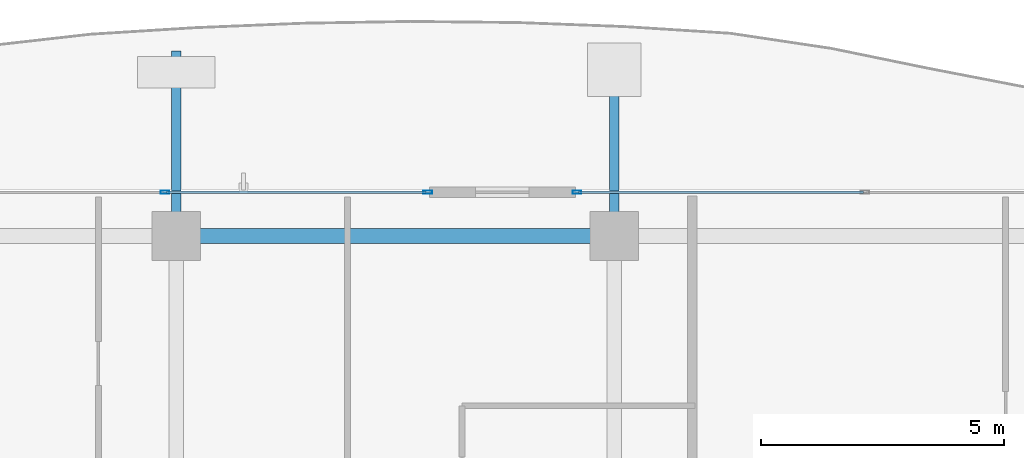
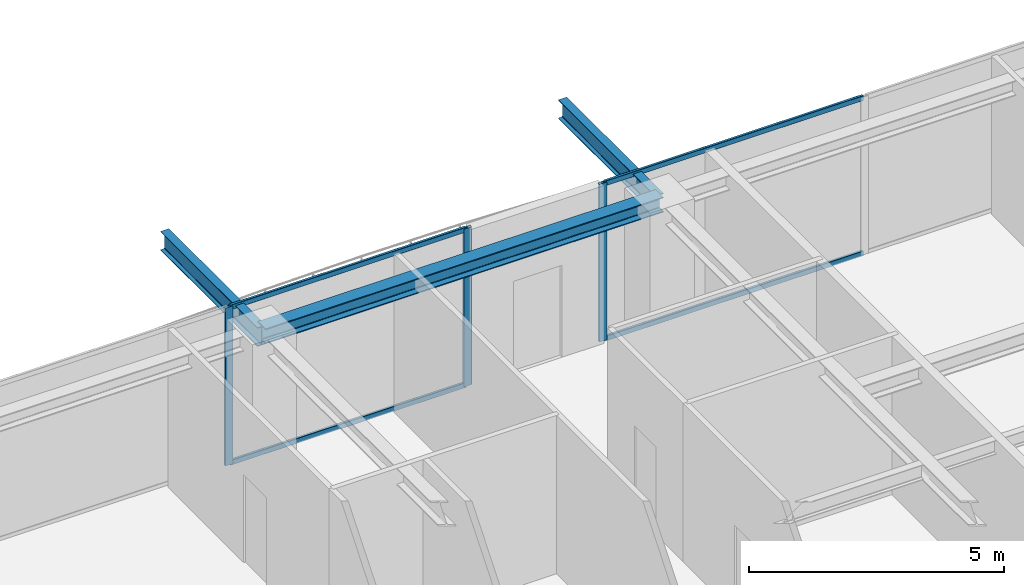
# One storey, part 23 of 40: 7 members, 3 beams, 2 elements without a shape of their own.
"""IFC4 building model written with IfcOpenShell, lengths in metres."""

from ifc_helpers import new_model, si_unit, direction, frame, origin, origin_2d, place, context, subcontext, project, spatial, hollow_rectangle, i_section, extrude, source, transform, mapped, material, layer, layer_set, material_profile, profile_set, type_object, element, aggregate, save


model = new_model("IFC4")

# Units and contexts
model_context = context("Model", 3, precision=1e-05, world=origin(), true_north=direction((0.0, 1.0)))
body_context = subcontext(model_context, "Body", "Model", "MODEL_VIEW")
ifc_project = project(units=[si_unit("LENGTHUNIT", "METRE"), si_unit("AREAUNIT", "SQUARE_METRE"), si_unit("VOLUMEUNIT", "CUBIC_METRE"), si_unit("PLANEANGLEUNIT", "RADIAN"), si_unit("MASSUNIT", "GRAM", prefix="KILO")], contexts=[model_context])

# Site, building, storey
site_placement = place(None, origin())
site = spatial("IfcSite", under=ifc_project, at=site_placement, CompositionType="ELEMENT")
building_placement = place(site_placement, origin())
building = spatial("IfcBuilding", under=site, at=building_placement, Name="Serunith Strait Residences", CompositionType="ELEMENT")
storey_placement = place(building_placement, frame((0.0, 0.0, 313.699951171875)))
storey = spatial("IfcBuildingStorey", under=building, at=storey_placement, Name="L78", CompositionType="ELEMENT", Elevation=313.699951171875)

# Beams
ifc_material_1 = material(Name="Steel S355J2", Category="steel")
ifc_material_profile_1 = material_profile(ifc_material_1, i_section(OverallWidth=0.300048828125, OverallDepth=0.360107421875, WebThickness=0.012451171875, FlangeThickness=0.0224609375, FilletRadius=0.027099609375, at=origin_2d()), Name="HEB 360")
ifc_profile_set_1 = profile_set([ifc_material_profile_1], Name="Steel S355J2")
beam_type_1 = type_object("IfcBeamType", Name="BM-HEB360", PredefinedType="BEAM", material=ifc_profile_set_1)
shared_shape_1 = source(origin(), body_context, "Body", "SweptSolid", [
    extrude(i_section(OverallWidth=0.300048828125, OverallDepth=0.360107421875, WebThickness=0.012451171875, FlangeThickness=0.0224609375, FilletRadius=0.027099609375, at=origin_2d()), origin(), (0.0, 0.0, 1.0), 9.0),
])
beam_placement = place(storey_placement, frame((36.89990234375, 47.10009765625, 3.60693359375), z_axis=(-1.0, 0.0, 0.0), x_axis=(0.0, -1.0, 0.0)))
element("IfcBeam", 1, at=beam_placement, inside=storey, type_object=beam_type_1, Name="L78 Perimeter Ring Beam 10", PredefinedType="BEAM", context=body_context, shape_type="MappedRepresentation", body=[
    mapped(shared_shape_1, transform((0.0, 0.0, 0.0), scale=1.0)),
])
ifc_material_profile_2 = material_profile(ifc_material_1, i_section(OverallWidth=0.18994140625, OverallDepth=0.449951171875, WebThickness=0.009521484375, FlangeThickness=0.0146484375, FilletRadius=0.02099609375, at=origin_2d()), Name="IPE 450")
ifc_profile_set_2 = profile_set([ifc_material_profile_2], Name="Steel S355J2")
beam_type_2 = type_object("IfcBeamType", Name="BM-IPE450", PredefinedType="JOIST", material=ifc_profile_set_2)
shared_shape_2 = source(origin(), body_context, "Body", "SweptSolid", [
    extrude(i_section(OverallWidth=0.18994140625, OverallDepth=0.449951171875, WebThickness=0.009521484375, FlangeThickness=0.0146484375, FilletRadius=0.02099609375, at=origin_2d()), origin(), (0.0, 0.0, 1.0), 3.7998046875),
])
for number, where, z_axis, x_axis, name in (
    (2, (27.89990234375, 47.10009765625, 3.531982421875), (0.0, 1.0, 0.0), (-1.0, 0.0, 0.0), "L79 Cantilevered Balcony Rib TC-N2"),
    (3, (36.89990234375, 47.10009765625, 3.531982421875), (0.0, 1.0, 0.0), (-1.0, 0.0, 0.0), "L79 Cantilevered Balcony Rib TC-N3"),
):
    element("IfcBeam", number, at=place(storey_placement, frame(where, z_axis=z_axis, x_axis=x_axis)), inside=storey, type_object=beam_type_2, Name=name, PredefinedType="JOIST", context=body_context, shape_type="MappedRepresentation", body=[
        mapped(shared_shape_2, transform((0.0, 0.0, 0.0), scale=1.0)),
    ])

# Curtain wall, member
ifc_material_2 = material(Name="Brushed Stainless-Silver Aluminium", Category="aluminium")
ifc_layer = layer(ifc_material_2, 0.199951171875, Name="Brushed Stainless-Silver Aluminium")
ifc_layer_set = layer_set([ifc_layer], Name="Brushed Stainless-Silver Aluminium")
curtain_wall_type = type_object("IfcCurtainWallType", Name="CW-SYS5", PredefinedType="NOTDEFINED", material=ifc_layer_set)
curtain_wall_1_placement = place(storey_placement, origin())
curtain_wall_1 = element("IfcCurtainWall", 4, at=curtain_wall_1_placement, inside=storey, type_object=curtain_wall_type, Name="L78 N Unitised Fritted Curtain Wall", PredefinedType="NOTDEFINED")
ifc_material_profile_3 = material_profile(ifc_material_2, hollow_rectangle(XDim=0.06494140625, YDim=0.179931640625, WallThickness=0.00341796875, InnerFilletRadius=0.00537109375, OuterFilletRadius=0.0087890625, at=origin_2d()), Name="ALU 180x65x3.5")
ifc_profile_set_3 = profile_set([ifc_material_profile_3], Name="Brushed Stainless-Silver Aluminium")
member_type_1 = type_object("IfcMemberType", Name="CW-SYS5-MULL", PredefinedType="MULLION", material=ifc_profile_set_3)
shared_shape_3 = source(origin(), body_context, "Body", "SweptSolid", [
    extrude(hollow_rectangle(XDim=0.06494140625, YDim=0.179931640625, WallThickness=0.00341796875, InnerFilletRadius=0.00537109375, OuterFilletRadius=0.0087890625, at=origin_2d()), origin(), (0.0, 0.0, 1.0), 3.775146484375),
])
member_1_placement = place(storey_placement, frame((36.132568359375, 48.0, 0.0), z_axis=(0.0, 0.0, 1.0), x_axis=(0.0, -1.0, 0.0)))
member_1 = element("IfcMember", 5, at=member_1_placement, type_object=member_type_1, Name="CW-5 mullion 3", PredefinedType="MULLION", context=body_context, shape_type="MappedRepresentation", body=[
    mapped(shared_shape_3, transform((0.0, 0.0, 0.0), scale=1.0)),
])

# Curtain wall, members
curtain_wall_2_placement = place(storey_placement, origin())
curtain_wall_2 = element("IfcCurtainWall", 6, at=curtain_wall_2_placement, inside=storey, type_object=curtain_wall_type, Name="L78 N Unitised Fritted Curtain Wall", PredefinedType="NOTDEFINED")
member_2_placement = place(storey_placement, frame((33.0673828125, 48.0, 0.0), z_axis=(0.0, 0.0, 1.0), x_axis=(0.0, -1.0, 0.0)))
member_2 = element("IfcMember", 7, at=member_2_placement, type_object=member_type_1, Name="CW-5 mullion 1", PredefinedType="MULLION", context=body_context, shape_type="MappedRepresentation", body=[
    mapped(shared_shape_3, transform((0.0, 0.0, 0.0), scale=1.0)),
])
member_3_placement = place(storey_placement, frame((27.666748046875, 48.0, 0.0), z_axis=(0.0, 0.0, 1.0), x_axis=(0.0, -1.0, 0.0)))
member_3 = element("IfcMember", 8, at=member_3_placement, type_object=member_type_1, Name="CW-5 mullion 2", PredefinedType="MULLION", context=body_context, shape_type="MappedRepresentation", body=[
    mapped(shared_shape_3, transform((0.0, 0.0, 0.0), scale=1.0)),
])

# Member
ifc_material_profile_4 = material_profile(ifc_material_2, hollow_rectangle(XDim=0.06005859375, YDim=0.1201171875, WallThickness=0.00341796875, InnerFilletRadius=0.00537109375, OuterFilletRadius=0.0087890625, at=origin_2d()), Name="ALU 120x60x3.5")
ifc_profile_set_4 = profile_set([ifc_material_profile_4], Name="Brushed Stainless-Silver Aluminium")
member_type_2 = type_object("IfcMemberType", Name="CW-SYS5-TRAN", PredefinedType="USERDEFINED", material=ifc_profile_set_4)
shared_shape_4 = source(origin(), body_context, "Body", "SweptSolid", [
    extrude(hollow_rectangle(XDim=0.06005859375, YDim=0.1201171875, WallThickness=0.00341796875, InnerFilletRadius=0.00537109375, OuterFilletRadius=0.0087890625, at=origin_2d()), origin(), (0.0, 0.0, 1.0), 5.8525390625),
])
member_4_placement = place(storey_placement, frame((42.017578125, 48.0, 0.030029296875), z_axis=(-1.0, 0.0, 0.0), x_axis=(0.0, -1.0, 0.0)))
member_4 = element("IfcMember", 9, at=member_4_placement, type_object=member_type_2, Name="CW-5 transom 2.1", ObjectType="TRANSOM", PredefinedType="USERDEFINED", context=body_context, shape_type="MappedRepresentation", body=[
    mapped(shared_shape_4, transform((0.0, 0.0, 0.0), scale=1.0)),
])

member_5_placement = place(storey_placement, frame((42.017578125, 48.0, 3.7451171875), z_axis=(-1.0, 0.0, 0.0), x_axis=(0.0, -1.0, 0.0)))
member_5 = element("IfcMember", 10, at=member_5_placement, type_object=member_type_2, Name="CW-5 transom 2.2", ObjectType="TRANSOM", PredefinedType="USERDEFINED", context=body_context, shape_type="MappedRepresentation", body=[
    mapped(shared_shape_4, transform((0.0, 0.0, 0.0), scale=1.0)),
])

aggregate(curtain_wall_1, [member_1, member_4, member_5])

shared_shape_5 = source(origin(), body_context, "Body", "SweptSolid", [
    extrude(hollow_rectangle(XDim=0.06005859375, YDim=0.1201171875, WallThickness=0.00341796875, InnerFilletRadius=0.00537109375, OuterFilletRadius=0.0087890625, at=origin_2d()), origin(), (0.0, 0.0, 1.0), 5.335693359375),
])
member_6_placement = place(storey_placement, frame((33.034912109375, 48.0, 0.030029296875), z_axis=(-1.0, 0.0, 0.0), x_axis=(0.0, -1.0, 0.0)))
member_6 = element("IfcMember", 11, at=member_6_placement, type_object=member_type_2, Name="CW-5 transom 1.1", ObjectType="TRANSOM", PredefinedType="USERDEFINED", context=body_context, shape_type="MappedRepresentation", body=[
    mapped(shared_shape_5, transform((0.0, 0.0, 0.0), scale=1.0)),
])

member_7_placement = place(storey_placement, frame((33.034912109375, 48.0, 3.7451171875), z_axis=(-1.0, 0.0, 0.0), x_axis=(0.0, -1.0, 0.0)))
member_7 = element("IfcMember", 12, at=member_7_placement, type_object=member_type_2, Name="CW-5 transom 1.2", ObjectType="TRANSOM", PredefinedType="USERDEFINED", context=body_context, shape_type="MappedRepresentation", body=[
    mapped(shared_shape_5, transform((0.0, 0.0, 0.0), scale=1.0)),
])

aggregate(curtain_wall_2, [member_2, member_3, member_6, member_7])

save(model, "model.ifc")
